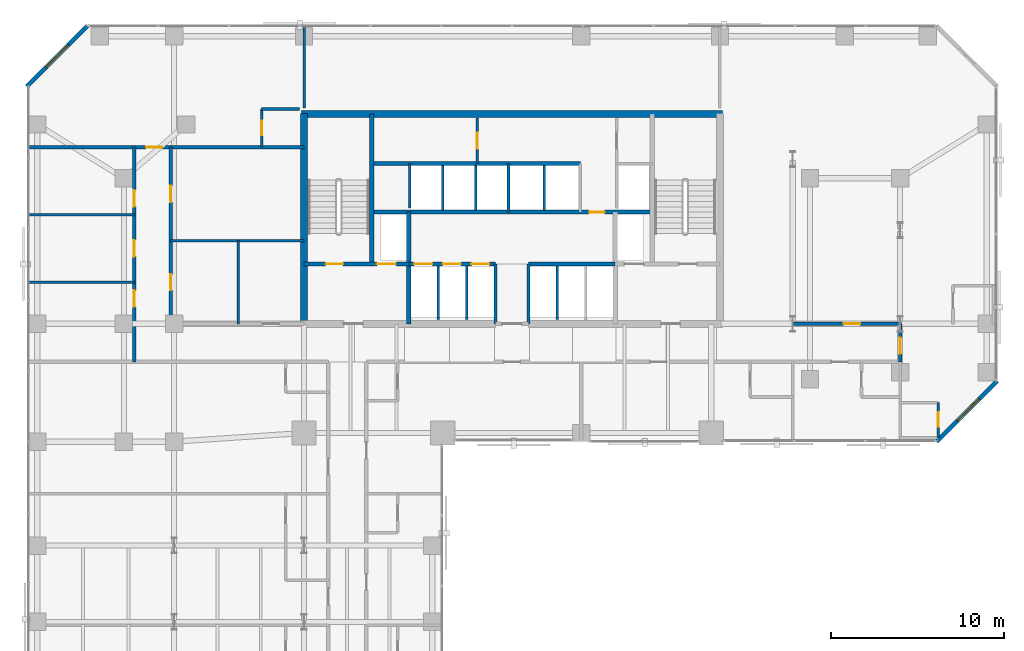
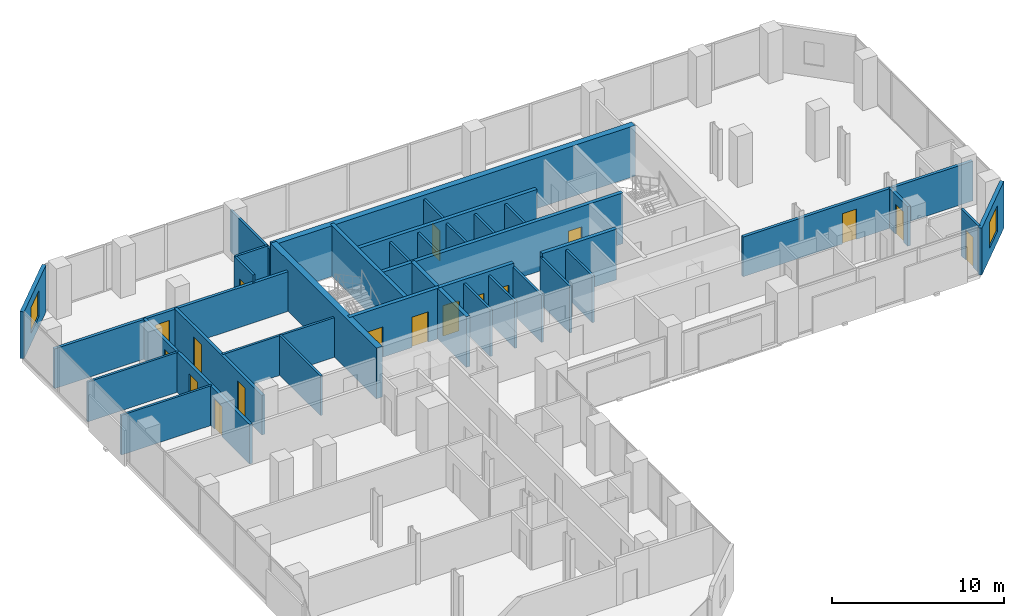
# One storey, part 28 of 31: 35 walls, 17 doors, 2 windows, 19 openings.
"""IFC4 building model written with IfcOpenShell, lengths in metres."""

from ifc_helpers import new_model, si_unit, direction, frame, frame_2d, origin, place, context, subcontext, project, spatial, rectangle, extrude, material, layer, layer_set, type_object, element, fill, save


model = new_model("IFC4")

# Units and contexts
model_context = context("Model", 3, precision=1e-05, world=origin(), true_north=direction((0.0, 1.0)))
body_context = subcontext(model_context, "Body", "Model", "MODEL_VIEW")
ifc_project = project(units=[si_unit("LENGTHUNIT", "METRE"), si_unit("AREAUNIT", "SQUARE_METRE"), si_unit("VOLUMEUNIT", "CUBIC_METRE"), si_unit("PLANEANGLEUNIT", "RADIAN"), si_unit("MASSUNIT", "GRAM", prefix="KILO")], contexts=[model_context])

# Site, building, storey
site_placement = place(None, origin())
site = spatial("IfcSite", under=ifc_project, at=site_placement, CompositionType="ELEMENT")
building_placement = place(site_placement, origin())
building = spatial("IfcBuilding", under=site, at=building_placement, Name="Catumbela Crestline Tower", CompositionType="ELEMENT")
storey_placement = place(building_placement, frame((0.0, 0.0, 40.2)))
storey = spatial("IfcBuildingStorey", under=building, at=storey_placement, Name="L09", CompositionType="ELEMENT", Elevation=40.2)

# Walls
ifc_material_1 = material(Name="Concrete C50/60", Category="concrete")
ifc_layer_1 = layer(ifc_material_1, 0.25, Name="Concrete C50/60")
ifc_layer_set_1 = layer_set([ifc_layer_1], Name="Concrete C50/60")
wall_type_1 = type_object("IfcWallType", Name="CW-250D", PredefinedType="SHEAR", material=ifc_layer_set_1)
wall_1_placement = place(storey_placement, frame((19.9, 34.25, 0.0), z_axis=(0.0, 0.0, 1.0), x_axis=(0.0, 1.0, 0.0)))
element("IfcWall", 1, at=wall_1_placement, inside=storey, type_object=wall_type_1, Name="L09 Structural Core Shear Wall WWEB", PredefinedType="SHEAR", context=body_context, shape_type="SweptSolid", body=[
    extrude(rectangle(XDim=8.65, YDim=0.25, at=frame_2d((4.325, 0.0))), origin(), (0.0, 0.0, 1.0), 3.6),
])
wall_2_placement = place(storey_placement, frame((22.05, 30.8, 0.0), z_axis=(0.0, 0.0, 1.0), x_axis=(0.0, 1.0, 0.0)))
element("IfcWall", 2, at=wall_2_placement, inside=storey, type_object=wall_type_1, Name="L09 Structural Core Shear Wall FFW", PredefinedType="SHEAR", context=body_context, shape_type="SweptSolid", body=[
    extrude(rectangle(XDim=6.45, YDim=0.25, at=frame_2d((3.225, 0.0))), origin(), (0.0, 0.0, 1.0), 3.6),
])

# Wall, openings, doors
wall_3_placement = place(storey_placement, frame((16.0, 34.25, 0.0), z_axis=(0.0, 0.0, 1.0), x_axis=(1.0, 0.0, 0.0)))
wall_3 = element("IfcWall", 3, at=wall_3_placement, inside=storey, type_object=wall_type_1, Name="L09 Structural Core Shear Wall ST1S", PredefinedType="SHEAR", context=body_context, shape_type="SweptSolid", body=[
    extrude(rectangle(XDim=6.05, YDim=0.25, at=frame_2d((3.025, 0.0))), origin(), (0.0, 0.0, 1.0), 3.6),
])
opening_1_placement = place(wall_3_placement, frame((1.25, 0.0, 0.0)))
opening_1 = element("IfcOpeningElement", 4, at=opening_1_placement, cuts=wall_3, Name="Opening DF9-100", PredefinedType="OPENING", context=body_context, shape_type="SweptSolid", body=[
    extrude(rectangle(XDim=1.0, YDim=2.15, at=frame_2d((0.5, 1.075))), frame((0.0, 0.135, 0.0), z_axis=(0.0, -1.0, 0.0), x_axis=(1.0, 0.0, 0.0)), (0.0, 0.0, 1.0), 0.27),
])
opening_2_placement = place(wall_3_placement, frame((4.2, 0.0, 0.0)))
opening_2 = element("IfcOpeningElement", 5, at=opening_2_placement, cuts=wall_3, Name="Opening LD-110", PredefinedType="OPENING", context=body_context, shape_type="SweptSolid", body=[
    extrude(rectangle(XDim=1.1, YDim=2.15, at=frame_2d((0.55, 1.075))), frame((0.0, 0.135, 0.0), z_axis=(0.0, -1.0, 0.0), x_axis=(1.0, 0.0, 0.0)), (0.0, 0.0, 1.0), 0.27),
])
ifc_material_2 = material(Name="Stainless steel EN 1.4401", Category="steel")
door_type_1 = type_object("IfcDoorType", Name="DF9-100", OperationType="NOTDEFINED", PredefinedType="DOOR", material=ifc_material_2)
door_1_placement = place(opening_1_placement, origin())
door_1 = element("IfcDoor", 6, at=door_1_placement, inside=storey, type_object=door_type_1, Name="L09 Interior Door DR-L09-ST01", OperationType="SINGLE_SWING_LEFT", OverallHeight=2.15, OverallWidth=1.0, PredefinedType="DOOR", context=body_context, shape_type="SweptSolid", body=[
    extrude(rectangle(XDim=1.0, YDim=2.15, at=frame_2d((0.5, 1.075))), frame((0.0, 0.025, 0.0), z_axis=(0.0, -1.0, 0.0), x_axis=(1.0, 0.0, 0.0)), (0.0, 0.0, 1.0), 0.05),
])
fill(opening_1, door_1)
door_type_2 = type_object("IfcDoorType", Name="LD-110", OperationType="NOTDEFINED", PredefinedType="DOOR", material=ifc_material_2)
door_2_placement = place(opening_2_placement, origin())
door_2 = element("IfcDoor", 7, at=door_2_placement, inside=storey, type_object=door_type_2, Name="L09 Lift Landing Sliding Door FL-01", OperationType="DOUBLE_DOOR_SLIDING", OverallHeight=2.15, OverallWidth=1.1, PredefinedType="DOOR", context=body_context, shape_type="SweptSolid", body=[
    extrude(rectangle(XDim=1.1, YDim=2.15, at=frame_2d((0.55, 1.075))), frame((0.0, 0.025, 0.0), z_axis=(0.0, -1.0, 0.0), x_axis=(1.0, 0.0, 0.0)), (0.0, 0.0, 1.0), 0.05),
])
fill(opening_2, door_2)

wall_4_placement = place(storey_placement, frame((22.05, 34.25, 0.0), z_axis=(0.0, 0.0, 1.0), x_axis=(1.0, 0.0, 0.0)))
wall_4 = element("IfcWall", 8, at=wall_4_placement, inside=storey, type_object=wall_type_1, Name="L09 Structural Core Shear Wall LIFTS-W", PredefinedType="SHEAR", context=body_context, shape_type="SweptSolid", body=[
    extrude(rectangle(XDim=5.0, YDim=0.25, at=frame_2d((2.5, 0.0))), origin(), (0.0, 0.0, 1.0), 3.6),
])
opening_3_placement = place(wall_4_placement, frame((0.3, 0.0, 0.0)))
opening_3 = element("IfcOpeningElement", 9, at=opening_3_placement, cuts=wall_4, Name="Opening LD-105", PredefinedType="OPENING", context=body_context, shape_type="SweptSolid", body=[
    extrude(rectangle(XDim=1.05, YDim=2.15, at=frame_2d((0.525, 1.075))), frame((0.0, 0.135, 0.0), z_axis=(0.0, -1.0, 0.0), x_axis=(1.0, 0.0, 0.0)), (0.0, 0.0, 1.0), 0.27),
])
opening_4_placement = place(wall_4_placement, frame((1.95, 0.0, 0.0)))
opening_4 = element("IfcOpeningElement", 10, at=opening_4_placement, cuts=wall_4, Name="Opening LD-105", PredefinedType="OPENING", context=body_context, shape_type="SweptSolid", body=[
    extrude(rectangle(XDim=1.05, YDim=2.15, at=frame_2d((0.525, 1.075))), frame((0.0, 0.135, 0.0), z_axis=(0.0, -1.0, 0.0), x_axis=(1.0, 0.0, 0.0)), (0.0, 0.0, 1.0), 0.27),
])
opening_5_placement = place(wall_4_placement, frame((3.6, 0.0, 0.0)))
opening_5 = element("IfcOpeningElement", 11, at=opening_5_placement, cuts=wall_4, Name="Opening LD-105", PredefinedType="OPENING", context=body_context, shape_type="SweptSolid", body=[
    extrude(rectangle(XDim=1.05, YDim=2.15, at=frame_2d((0.525, 1.075))), frame((0.0, 0.135, 0.0), z_axis=(0.0, -1.0, 0.0), x_axis=(1.0, 0.0, 0.0)), (0.0, 0.0, 1.0), 0.27),
])
door_type_3 = type_object("IfcDoorType", Name="LD-105", OperationType="NOTDEFINED", PredefinedType="DOOR", material=ifc_material_2)
door_3_placement = place(opening_3_placement, origin())
door_3 = element("IfcDoor", 12, at=door_3_placement, inside=storey, type_object=door_type_3, Name="L09 Lift Landing Sliding Door PL-L1", OperationType="DOUBLE_DOOR_SLIDING", OverallHeight=2.15, OverallWidth=1.05, PredefinedType="DOOR", context=body_context, shape_type="SweptSolid", body=[
    extrude(rectangle(XDim=1.05, YDim=2.15, at=frame_2d((0.525, 1.075))), frame((0.0, 0.025, 0.0), z_axis=(0.0, -1.0, 0.0), x_axis=(1.0, 0.0, 0.0)), (0.0, 0.0, 1.0), 0.05),
])
fill(opening_3, door_3)
door_4_placement = place(opening_4_placement, origin())
door_4 = element("IfcDoor", 13, at=door_4_placement, inside=storey, type_object=door_type_3, Name="L09 Lift Landing Sliding Door PL-L2", OperationType="DOUBLE_DOOR_SLIDING", OverallHeight=2.15, OverallWidth=1.05, PredefinedType="DOOR", context=body_context, shape_type="SweptSolid", body=[
    extrude(rectangle(XDim=1.05, YDim=2.15, at=frame_2d((0.525, 1.075))), frame((0.0, 0.025, 0.0), z_axis=(0.0, -1.0, 0.0), x_axis=(1.0, 0.0, 0.0)), (0.0, 0.0, 1.0), 0.05),
])
fill(opening_4, door_4)
door_5_placement = place(opening_5_placement, origin())
door_5 = element("IfcDoor", 14, at=door_5_placement, inside=storey, type_object=door_type_3, Name="L09 Lift Landing Sliding Door PL-L3", OperationType="DOUBLE_DOOR_SLIDING", OverallHeight=2.15, OverallWidth=1.05, PredefinedType="DOOR", context=body_context, shape_type="SweptSolid", body=[
    extrude(rectangle(XDim=1.05, YDim=2.15, at=frame_2d((0.525, 1.075))), frame((0.0, 0.025, 0.0), z_axis=(0.0, -1.0, 0.0), x_axis=(1.0, 0.0, 0.0)), (0.0, 0.0, 1.0), 0.05),
])
fill(opening_5, door_5)

# Wall
wall_5_placement = place(storey_placement, frame((28.95, 34.25, 0.0), z_axis=(0.0, 0.0, 1.0), x_axis=(1.0, 0.0, 0.0)))
element("IfcWall", 15, at=wall_5_placement, inside=storey, type_object=wall_type_1, Name="L09 Structural Core Shear Wall LIFTS-E", PredefinedType="SHEAR", context=body_context, shape_type="SweptSolid", body=[
    extrude(rectangle(XDim=5.0, YDim=0.25, at=frame_2d((2.5, 0.0))), origin(), (0.0, 0.0, 1.0), 3.6),
])

# Wall, opening, door
wall_6_placement = place(storey_placement, frame((19.9, 37.25, 0.0), z_axis=(0.0, 0.0, 1.0), x_axis=(1.0, 0.0, 0.0)))
wall_6 = element("IfcWall", 16, at=wall_6_placement, inside=storey, type_object=wall_type_1, Name="L09 Structural Core Shear Wall LIFTN", PredefinedType="SHEAR", context=body_context, shape_type="SweptSolid", body=[
    extrude(rectangle(XDim=16.2, YDim=0.25, at=frame_2d((8.1, 0.0))), origin(), (0.0, 0.0, 1.0), 3.6),
])
opening_6_placement = place(wall_6_placement, frame((12.55, 0.0, 0.0)))
opening_6 = element("IfcOpeningElement", 17, at=opening_6_placement, cuts=wall_6, Name="Opening DF9-090", PredefinedType="OPENING", context=body_context, shape_type="SweptSolid", body=[
    extrude(rectangle(XDim=0.9, YDim=2.15, at=frame_2d((0.45, 1.075))), frame((0.0, 0.135, 0.0), z_axis=(0.0, -1.0, 0.0), x_axis=(1.0, 0.0, 0.0)), (0.0, 0.0, 1.0), 0.27),
])
door_type_4 = type_object("IfcDoorType", Name="DF9-090", OperationType="NOTDEFINED", PredefinedType="DOOR", material=ifc_material_2)
door_6_placement = place(opening_6_placement, origin())
door_6 = element("IfcDoor", 18, at=door_6_placement, inside=storey, type_object=door_type_4, Name="L09 Interior Door DR-L09-CPAS1", OperationType="SINGLE_SWING_LEFT", OverallHeight=2.15, OverallWidth=0.9, PredefinedType="DOOR", context=body_context, shape_type="SweptSolid", body=[
    extrude(rectangle(XDim=0.9, YDim=2.15, at=frame_2d((0.45, 1.075))), frame((0.0, 0.025, 0.0), z_axis=(0.0, -1.0, 0.0), x_axis=(1.0, 0.0, 0.0)), (0.0, 0.0, 1.0), 0.05),
])
fill(opening_6, door_6)

# Walls
wall_7_placement = place(storey_placement, frame((19.9, 40.05, 0.0), z_axis=(0.0, 0.0, 1.0), x_axis=(1.0, 0.0, 0.0)))
element("IfcWall", 19, at=wall_7_placement, inside=storey, type_object=wall_type_1, Name="L09 Structural Core Shear Wall COREN", PredefinedType="SHEAR", context=body_context, shape_type="SweptSolid", body=[
    extrude(rectangle(XDim=12.05, YDim=0.25, at=frame_2d((6.025, 0.0))), origin(), (0.0, 0.0, 1.0), 3.6),
])
ifc_material_3 = material(Name="Concrete C60/75", Category="concrete")
ifc_layer_2 = layer(ifc_material_3, 0.4, Name="Concrete C60/75")
ifc_layer_set_2 = layer_set([ifc_layer_2], Name="Concrete C60/75")
wall_type_2 = type_object("IfcWallType", Name="CW-400A", PredefinedType="SHEAR", material=ifc_layer_set_2)
wall_8_placement = place(storey_placement, frame((16.0, 30.65, 0.0), z_axis=(0.0, 0.0, 1.0), x_axis=(0.0, 1.0, 0.0)))
element("IfcWall", 20, at=wall_8_placement, inside=storey, type_object=wall_type_2, Name="L09 Structural Core Shear Wall W", PredefinedType="SHEAR", context=body_context, shape_type="SweptSolid", body=[
    extrude(rectangle(XDim=12.3, YDim=0.4, at=frame_2d((6.15, 0.0))), origin(), (0.0, 0.0, 1.0), 3.6),
])
wall_9_placement = place(storey_placement, frame((15.85, 42.9, 0.0), z_axis=(0.0, 0.0, 1.0), x_axis=(1.0, 0.0, 0.0)))
element("IfcWall", 21, at=wall_9_placement, inside=storey, type_object=wall_type_2, Name="L09 Structural Core Shear Wall N", PredefinedType="SHEAR", context=body_context, shape_type="SweptSolid", body=[
    extrude(rectangle(XDim=24.3, YDim=0.4, at=frame_2d((12.15, 0.0))), origin(), (0.0, 0.0, 1.0), 3.6),
])

# Wall, openings, doors
ifc_material_4 = material(Name="Acoustic gypsum and mineral-wool partition")
ifc_layer_3 = layer(ifc_material_4, 0.2, Name="Acoustic gypsum and mineral-wool partition")
ifc_layer_set_3 = layer_set([ifc_layer_3], Name="Acoustic gypsum and mineral-wool partition")
wall_type_3 = type_object("IfcWallType", Name="WC-200", PredefinedType="PARTITIONING", material=ifc_layer_set_3)
wall_10_placement = place(storey_placement, frame((8.3, 30.8, 0.0), z_axis=(0.0, 0.0, 1.0), x_axis=(0.0, 1.0, 0.0)))
wall_10 = element("IfcWall", 22, at=wall_10_placement, inside=storey, type_object=wall_type_3, Name="L09 Interior Partition PW-L09-AWC-W", PredefinedType="PARTITIONING", context=body_context, shape_type="SweptSolid", body=[
    extrude(rectangle(XDim=10.2, YDim=0.2, at=frame_2d((5.1, 0.0))), origin(), (0.0, 0.0, 1.0), 2.82),
])
opening_7_placement = place(wall_10_placement, frame((1.95, 0.0, 0.0)))
opening_7 = element("IfcOpeningElement", 23, at=opening_7_placement, cuts=wall_10, Name="Opening DI-090", PredefinedType="OPENING", context=body_context, shape_type="SweptSolid", body=[
    extrude(rectangle(XDim=0.9, YDim=2.15, at=frame_2d((0.45, 1.075))), frame((0.0, 0.11, 0.0), z_axis=(0.0, -1.0, 0.0), x_axis=(1.0, 0.0, 0.0)), (0.0, 0.0, 1.0), 0.22),
])
opening_8_placement = place(wall_10_placement, frame((7.025, 0.0, 0.0)))
opening_8 = element("IfcOpeningElement", 24, at=opening_8_placement, cuts=wall_10, Name="Opening DF6-095", PredefinedType="OPENING", context=body_context, shape_type="SweptSolid", body=[
    extrude(rectangle(XDim=0.95, YDim=2.15, at=frame_2d((0.475, 1.075))), frame((0.0, 0.11, 0.0), z_axis=(0.0, -1.0, 0.0), x_axis=(1.0, 0.0, 0.0)), (0.0, 0.0, 1.0), 0.22),
])
ifc_material_5 = material(Name="Aluminium alloy AW-6060-T66", Category="aluminium")
door_type_5 = type_object("IfcDoorType", Name="DF6-095", OperationType="NOTDEFINED", PredefinedType="DOOR", material=ifc_material_5)
door_7_placement = place(opening_8_placement, origin())
door_7 = element("IfcDoor", 25, at=door_7_placement, inside=storey, type_object=door_type_5, Name="L09 Interior Door DR-L09-MT1-ENT", OperationType="SINGLE_SWING_LEFT", OverallHeight=2.15, OverallWidth=0.95, PredefinedType="DOOR", context=body_context, shape_type="SweptSolid", body=[
    extrude(rectangle(XDim=0.95, YDim=2.15, at=frame_2d((0.475, 1.075))), frame((0.0, 0.025, 0.0), z_axis=(0.0, -1.0, 0.0), x_axis=(1.0, 0.0, 0.0)), (0.0, 0.0, 1.0), 0.05),
])
fill(opening_8, door_7)
door_type_6 = type_object("IfcDoorType", Name="DI-090", OperationType="NOTDEFINED", PredefinedType="DOOR", material=ifc_material_5)
door_8_placement = place(opening_7_placement, origin())
door_8 = element("IfcDoor", 26, at=door_8_placement, inside=storey, type_object=door_type_6, Name="L09 Interior Door DR-L09-STWC", OperationType="SINGLE_SWING_RIGHT", OverallHeight=2.15, OverallWidth=0.9, PredefinedType="DOOR", context=body_context, shape_type="SweptSolid", body=[
    extrude(rectangle(XDim=0.9, YDim=2.15, at=frame_2d((0.45, 1.075))), frame((0.0, 0.025, 0.0), z_axis=(0.0, -1.0, 0.0), x_axis=(1.0, 0.0, 0.0)), (0.0, 0.0, 1.0), 0.05),
])
fill(opening_7, door_8)

# Wall, opening, door
wall_11_placement = place(storey_placement, frame((0.1, 41.0, 0.0), z_axis=(0.0, 0.0, 1.0), x_axis=(1.0, 0.0, 0.0)))
wall_11 = element("IfcWall", 27, at=wall_11_placement, inside=storey, type_object=wall_type_3, Name="L09 Interior Partition PW-L09-NWTOP-ENT", PredefinedType="PARTITIONING", context=body_context, shape_type="SweptSolid", body=[
    extrude(rectangle(XDim=15.9, YDim=0.2, at=frame_2d((7.95, 0.0))), origin(), (0.0, 0.0, 1.0), 2.82),
])
opening_9_placement = place(wall_11_placement, frame((6.7788, 0.0, 0.0)))
opening_9 = element("IfcOpeningElement", 28, at=opening_9_placement, cuts=wall_11, Name="Opening DF6-095", PredefinedType="OPENING", context=body_context, shape_type="SweptSolid", body=[
    extrude(rectangle(XDim=0.95, YDim=2.15, at=frame_2d((0.475, 1.075))), frame((0.0, 0.11, 0.0), z_axis=(0.0, -1.0, 0.0), x_axis=(1.0, 0.0, 0.0)), (0.0, 0.0, 1.0), 0.22),
])
door_9_placement = place(opening_9_placement, origin())
door_9 = element("IfcDoor", 29, at=door_9_placement, inside=storey, type_object=door_type_5, Name="L09 Interior Door DR-L09-NWTOP-ENT", OperationType="SINGLE_SWING_LEFT", OverallHeight=2.15, OverallWidth=0.95, PredefinedType="DOOR", context=body_context, shape_type="SweptSolid", body=[
    extrude(rectangle(XDim=0.95, YDim=2.15, at=frame_2d((0.475, 1.075))), frame((0.0, 0.025, 0.0), z_axis=(0.0, -1.0, 0.0), x_axis=(1.0, 0.0, 0.0)), (0.0, 0.0, 1.0), 0.05),
])
fill(opening_9, door_9)

# Wall, openings, doors
wall_12_placement = place(storey_placement, frame((6.2, 28.6, 0.0), z_axis=(0.0, 0.0, 1.0), x_axis=(0.0, 1.0, 0.0)))
wall_12 = element("IfcWall", 30, at=wall_12_placement, inside=storey, type_object=wall_type_3, Name="L09 Interior Partition PW-L09-OF1-ENT", PredefinedType="PARTITIONING", context=body_context, shape_type="SweptSolid", body=[
    extrude(rectangle(XDim=12.4, YDim=0.2, at=frame_2d((6.2, 0.0))), origin(), (0.0, 0.0, 1.0), 2.82),
])
opening_10_placement = place(wall_12_placement, frame((3.1818, 0.0, 0.0)))
opening_10 = element("IfcOpeningElement", 31, at=opening_10_placement, cuts=wall_12, Name="Opening DF6-095", PredefinedType="OPENING", context=body_context, shape_type="SweptSolid", body=[
    extrude(rectangle(XDim=0.95, YDim=2.15, at=frame_2d((0.475, 1.075))), frame((0.0, 0.11, 0.0), z_axis=(0.0, -1.0, 0.0), x_axis=(1.0, 0.0, 0.0)), (0.0, 0.0, 1.0), 0.22),
])
opening_11_placement = place(wall_12_placement, frame((6.075, 0.0, 0.0)))
opening_11 = element("IfcOpeningElement", 32, at=opening_11_placement, cuts=wall_12, Name="Opening DF6-095", PredefinedType="OPENING", context=body_context, shape_type="SweptSolid", body=[
    extrude(rectangle(XDim=0.95, YDim=2.15, at=frame_2d((0.475, 1.075))), frame((0.0, 0.11, 0.0), z_axis=(0.0, -1.0, 0.0), x_axis=(1.0, 0.0, 0.0)), (0.0, 0.0, 1.0), 0.22),
])
opening_12_placement = place(wall_12_placement, frame((8.966, 0.0, 0.0)))
opening_12 = element("IfcOpeningElement", 33, at=opening_12_placement, cuts=wall_12, Name="Opening DF6-095", PredefinedType="OPENING", context=body_context, shape_type="SweptSolid", body=[
    extrude(rectangle(XDim=0.95, YDim=2.15, at=frame_2d((0.475, 1.075))), frame((0.0, 0.11, 0.0), z_axis=(0.0, -1.0, 0.0), x_axis=(1.0, 0.0, 0.0)), (0.0, 0.0, 1.0), 0.22),
])
door_10_placement = place(opening_10_placement, origin())
door_10 = element("IfcDoor", 34, at=door_10_placement, inside=storey, type_object=door_type_5, Name="L09 Interior Door DR-L09-OF1-ENT", OperationType="SINGLE_SWING_RIGHT", OverallHeight=2.15, OverallWidth=0.95, PredefinedType="DOOR", context=body_context, shape_type="SweptSolid", body=[
    extrude(rectangle(XDim=0.95, YDim=2.15, at=frame_2d((0.475, 1.075))), frame((0.0, 0.025, 0.0), z_axis=(0.0, -1.0, 0.0), x_axis=(1.0, 0.0, 0.0)), (0.0, 0.0, 1.0), 0.05),
])
fill(opening_10, door_10)
door_11_placement = place(opening_11_placement, origin())
door_11 = element("IfcDoor", 35, at=door_11_placement, inside=storey, type_object=door_type_5, Name="L09 Interior Door DR-L09-OF2-ENT", OperationType="SINGLE_SWING_RIGHT", OverallHeight=2.15, OverallWidth=0.95, PredefinedType="DOOR", context=body_context, shape_type="SweptSolid", body=[
    extrude(rectangle(XDim=0.95, YDim=2.15, at=frame_2d((0.475, 1.075))), frame((0.0, 0.025, 0.0), z_axis=(0.0, -1.0, 0.0), x_axis=(1.0, 0.0, 0.0)), (0.0, 0.0, 1.0), 0.05),
])
fill(opening_11, door_11)
door_12_placement = place(opening_12_placement, origin())
door_12 = element("IfcDoor", 36, at=door_12_placement, inside=storey, type_object=door_type_5, Name="L09 Interior Door DR-L09-OF3-ENT", OperationType="SINGLE_SWING_LEFT", OverallHeight=2.15, OverallWidth=0.95, PredefinedType="DOOR", context=body_context, shape_type="SweptSolid", body=[
    extrude(rectangle(XDim=0.95, YDim=2.15, at=frame_2d((0.475, 1.075))), frame((0.0, 0.025, 0.0), z_axis=(0.0, -1.0, 0.0), x_axis=(1.0, 0.0, 0.0)), (0.0, 0.0, 1.0), 0.05),
])
fill(opening_12, door_12)

# Wall, opening, door
wall_13_placement = place(storey_placement, frame((40.47, 30.8, 0.0), z_axis=(0.0, 0.0, 1.0), x_axis=(1.0, 0.0, 0.0)))
wall_13 = element("IfcWall", 37, at=wall_13_placement, inside=storey, type_object=wall_type_3, Name="L09 Interior Partition PW-L09-NES-ENT", PredefinedType="PARTITIONING", context=body_context, shape_type="SweptSolid", body=[
    extrude(rectangle(XDim=15.43, YDim=0.2, at=frame_2d((7.715, 0.0))), origin(), (0.0, 0.0, 1.0), 2.82),
])
opening_13_placement = place(wall_13_placement, frame((6.6725, 0.0, 0.0)))
opening_13 = element("IfcOpeningElement", 38, at=opening_13_placement, cuts=wall_13, Name="Opening DF6-095", PredefinedType="OPENING", context=body_context, shape_type="SweptSolid", body=[
    extrude(rectangle(XDim=0.95, YDim=2.15, at=frame_2d((0.475, 1.075))), frame((0.0, 0.11, 0.0), z_axis=(0.0, -1.0, 0.0), x_axis=(1.0, 0.0, 0.0)), (0.0, 0.0, 1.0), 0.22),
])
door_13_placement = place(opening_13_placement, origin())
door_13 = element("IfcDoor", 39, at=door_13_placement, inside=storey, type_object=door_type_5, Name="L09 Interior Door DR-L09-NES-ENT", OperationType="SINGLE_SWING_LEFT", OverallHeight=2.15, OverallWidth=0.95, PredefinedType="DOOR", context=body_context, shape_type="SweptSolid", body=[
    extrude(rectangle(XDim=0.95, YDim=2.15, at=frame_2d((0.475, 1.075))), frame((0.0, 0.025, 0.0), z_axis=(0.0, -1.0, 0.0), x_axis=(1.0, 0.0, 0.0)), (0.0, 0.0, 1.0), 0.05),
])
fill(opening_13, door_13)

wall_14_placement = place(storey_placement, frame((50.4, 28.6, 0.0), z_axis=(0.0, 0.0, 1.0), x_axis=(0.0, 1.0, 0.0)))
wall_14 = element("IfcWall", 40, at=wall_14_placement, inside=storey, type_object=wall_type_3, Name="L09 Interior Partition PW-L09-NESE-ENT", PredefinedType="PARTITIONING", context=body_context, shape_type="SweptSolid", body=[
    extrude(rectangle(XDim=2.2, YDim=0.2, at=frame_2d((1.1, 0.0))), origin(), (0.0, 0.0, 1.0), 2.82),
])
opening_14_placement = place(wall_14_placement, frame((0.46, 0.0, 0.0)))
opening_14 = element("IfcOpeningElement", 41, at=opening_14_placement, cuts=wall_14, Name="Opening DF6-095", PredefinedType="OPENING", context=body_context, shape_type="SweptSolid", body=[
    extrude(rectangle(XDim=0.95, YDim=2.15, at=frame_2d((0.475, 1.075))), frame((0.0, 0.11, 0.0), z_axis=(0.0, -1.0, 0.0), x_axis=(1.0, 0.0, 0.0)), (0.0, 0.0, 1.0), 0.22),
])
door_14_placement = place(opening_14_placement, origin())
door_14 = element("IfcDoor", 42, at=door_14_placement, inside=storey, type_object=door_type_5, Name="L09 Interior Door DR-L09-NESE-ENT", OperationType="SINGLE_SWING_RIGHT", OverallHeight=2.15, OverallWidth=0.95, PredefinedType="DOOR", context=body_context, shape_type="SweptSolid", body=[
    extrude(rectangle(XDim=0.95, YDim=2.15, at=frame_2d((0.475, 1.075))), frame((0.0, 0.025, 0.0), z_axis=(0.0, -1.0, 0.0), x_axis=(1.0, 0.0, 0.0)), (0.0, 0.0, 1.0), 0.05),
])
fill(opening_14, door_14)

# Wall, opening, window
ifc_material_6 = material(Name="Angolan grey-ochre granite", Category="masonry")
ifc_layer_4 = layer(ifc_material_6, 0.25, Name="Angolan grey-ochre granite")
ifc_layer_set_4 = layer_set([ifc_layer_4], Name="Angolan grey-ochre granite")
wall_type_4 = type_object("IfcWallType", Name="WE-250", PredefinedType="STANDARD", material=ifc_layer_set_4)
wall_15_placement = place(storey_placement, frame((52.5, 24.0, 0.0), z_axis=(0.0, 0.0, 1.0), x_axis=(0.707106781187, 0.707106781187, 0.0)))
wall_15 = element("IfcWall", 43, at=wall_15_placement, inside=storey, type_object=wall_type_4, Name="L09 Granite Punched Window Wall 4-1", PredefinedType="STANDARD", context=body_context, shape_type="SweptSolid", body=[
    extrude(rectangle(XDim=4.9497, YDim=0.25, at=frame_2d((2.4748, 0.0))), origin(), (0.0, 0.0, 1.0), 3.33),
])
opening_15_placement = place(wall_15_placement, frame((1.6851, 0.0, 0.75)))
opening_15 = element("IfcOpeningElement", 44, at=opening_15_placement, cuts=wall_15, Name="Opening WN-01", PredefinedType="OPENING", context=body_context, shape_type="SweptSolid", body=[
    extrude(rectangle(XDim=1.8, YDim=1.85, at=frame_2d((0.9, 0.925))), frame((0.0, 0.135, 0.0), z_axis=(0.0, -1.0, 0.0), x_axis=(1.0, 0.0, 0.0)), (0.0, 0.0, 1.0), 0.27),
])
ifc_material_7 = material(Name="Low-E laminated solar-control double glazing", Category="glass")
window_type = type_object("IfcWindowType", Name="WF-1800", PartitioningType="SINGLE_PANEL", PredefinedType="WINDOW", material=ifc_material_7)
window_1_placement = place(opening_15_placement, origin())
window_1 = element("IfcWindow", 45, at=window_1_placement, inside=storey, type_object=window_type, Name="L09 Facade Vision Window 69", OverallHeight=1.85, OverallWidth=1.8, PartitioningType="SINGLE_PANEL", PredefinedType="WINDOW", context=body_context, shape_type="SweptSolid", body=[
    extrude(rectangle(XDim=1.8, YDim=1.85, at=frame_2d((0.9, 0.925))), frame((0.0, 0.03, 0.0), z_axis=(0.0, -1.0, 0.0), x_axis=(1.0, 0.0, 0.0)), (0.0, 0.0, 1.0), 0.06),
])
fill(opening_15, window_1)

wall_16_placement = place(storey_placement, frame((3.5, 48.0, 0.0), z_axis=(0.0, 0.0, 1.0), x_axis=(-0.707106781187, -0.707106781187, 0.0)))
wall_16 = element("IfcWall", 46, at=wall_16_placement, inside=storey, type_object=wall_type_4, Name="L09 Granite Punched Window Wall 8-1", PredefinedType="STANDARD", context=body_context, shape_type="SweptSolid", body=[
    extrude(rectangle(XDim=4.9497, YDim=0.25, at=frame_2d((2.4748, 0.0))), origin(), (0.0, 0.0, 1.0), 3.33),
])
opening_16_placement = place(wall_16_placement, frame((1.5749, 0.0, 0.75)))
opening_16 = element("IfcOpeningElement", 47, at=opening_16_placement, cuts=wall_16, Name="Opening WN-01", PredefinedType="OPENING", context=body_context, shape_type="SweptSolid", body=[
    extrude(rectangle(XDim=1.8, YDim=1.85, at=frame_2d((0.9, 0.925))), frame((0.0, 0.135, 0.0), z_axis=(0.0, -1.0, 0.0), x_axis=(1.0, 0.0, 0.0)), (0.0, 0.0, 1.0), 0.27),
])
window_2_placement = place(opening_16_placement, origin())
window_2 = element("IfcWindow", 48, at=window_2_placement, inside=storey, type_object=window_type, Name="L09 Facade Vision Window 71", OverallHeight=1.85, OverallWidth=1.8, PartitioningType="SINGLE_PANEL", PredefinedType="WINDOW", context=body_context, shape_type="SweptSolid", body=[
    extrude(rectangle(XDim=1.8, YDim=1.85, at=frame_2d((0.9, 0.925))), frame((0.0, 0.03, 0.0), z_axis=(0.0, -1.0, 0.0), x_axis=(1.0, 0.0, 0.0)), (0.0, 0.0, 1.0), 0.06),
])
fill(opening_16, window_2)

# Wall, opening, door
ifc_layer_5 = layer(ifc_material_4, 0.15, Name="Acoustic gypsum and mineral-wool partition")
ifc_layer_set_5 = layer_set([ifc_layer_5], Name="Acoustic gypsum and mineral-wool partition")
wall_type_5 = type_object("IfcWallType", Name="WP-150", PredefinedType="PARTITIONING", material=ifc_layer_set_5)
wall_17_placement = place(storey_placement, frame((26.0, 40.05, 0.0), z_axis=(0.0, 0.0, 1.0), x_axis=(0.0, 1.0, 0.0)))
wall_17 = element("IfcWall", 49, at=wall_17_placement, inside=storey, type_object=wall_type_5, Name="L09 Interior Partition PW-L09-CR-WW", PredefinedType="PARTITIONING", context=body_context, shape_type="SweptSolid", body=[
    extrude(rectangle(XDim=2.63, YDim=0.15, at=frame_2d((1.315, 0.0))), origin(), (0.0, 0.0, 1.0), 3.33),
])
opening_17_placement = place(wall_17_placement, frame((0.865, 0.0, 0.0)))
opening_17 = element("IfcOpeningElement", 50, at=opening_17_placement, cuts=wall_17, Name="Opening DF9-090", PredefinedType="OPENING", context=body_context, shape_type="SweptSolid", body=[
    extrude(rectangle(XDim=0.9, YDim=2.15, at=frame_2d((0.45, 1.075))), frame((0.0, 0.085, 0.0), z_axis=(0.0, -1.0, 0.0), x_axis=(1.0, 0.0, 0.0)), (0.0, 0.0, 1.0), 0.17),
])
door_15_placement = place(opening_17_placement, origin())
door_15 = element("IfcDoor", 51, at=door_15_placement, inside=storey, type_object=door_type_4, Name="L09 Interior Door DR-L09-CRWEST", OperationType="SINGLE_SWING_LEFT", OverallHeight=2.15, OverallWidth=0.9, PredefinedType="DOOR", context=body_context, shape_type="SweptSolid", body=[
    extrude(rectangle(XDim=0.9, YDim=2.15, at=frame_2d((0.45, 1.075))), frame((0.0, 0.025, 0.0), z_axis=(0.0, -1.0, 0.0), x_axis=(1.0, 0.0, 0.0)), (0.0, 0.0, 1.0), 0.05),
])
fill(opening_17, door_15)

# Walls
wall_18_placement = place(storey_placement, frame((8.3, 35.6, 0.0), z_axis=(0.0, 0.0, 1.0), x_axis=(1.0, 0.0, 0.0)))
element("IfcWall", 52, at=wall_18_placement, inside=storey, type_object=wall_type_5, Name="L09 Interior Partition PW-L09-HK-N", PredefinedType="PARTITIONING", context=body_context, shape_type="SweptSolid", body=[
    extrude(rectangle(XDim=7.7, YDim=0.15, at=frame_2d((3.85, 0.0))), origin(), (0.0, 0.0, 1.0), 2.82),
])
wall_19_placement = place(storey_placement, frame((12.2, 30.8, 0.0), z_axis=(0.0, 0.0, 1.0), x_axis=(0.0, 1.0, 0.0)))
element("IfcWall", 53, at=wall_19_placement, inside=storey, type_object=wall_type_5, Name="L09 Interior Partition PW-L09-HK-M", PredefinedType="PARTITIONING", context=body_context, shape_type="SweptSolid", body=[
    extrude(rectangle(XDim=4.8, YDim=0.15, at=frame_2d((2.4, 0.0))), origin(), (0.0, 0.0, 1.0), 2.82),
])
wall_20_placement = place(storey_placement, frame((13.55, 43.2, 0.0), z_axis=(0.0, 0.0, 1.0), x_axis=(1.0, 0.0, 0.0)))
element("IfcWall", 54, at=wall_20_placement, inside=storey, type_object=wall_type_5, Name="L09 Interior Partition PW-L09-NWTOP-BHW", PredefinedType="PARTITIONING", context=body_context, shape_type="SweptSolid", body=[
    extrude(rectangle(XDim=2.1897, YDim=0.15, at=frame_2d((1.0949, 0.0))), origin(), (0.0, 0.0, 1.0), 3.33),
])

# Wall, opening, door
wall_21_placement = place(storey_placement, frame((13.55, 41.0, 0.0), z_axis=(0.0, 0.0, 1.0), x_axis=(0.0, 1.0, 0.0)))
wall_21 = element("IfcWall", 55, at=wall_21_placement, inside=storey, type_object=wall_type_5, Name="L09 Interior Partition PW-L09-NWTOP-BWW", PredefinedType="PARTITIONING", context=body_context, shape_type="SweptSolid", body=[
    extrude(rectangle(XDim=2.2, YDim=0.15, at=frame_2d((1.1, 0.0))), origin(), (0.0, 0.0, 1.0), 3.33),
])
opening_18_placement = place(wall_21_placement, frame((0.675, 0.0, 0.0)))
opening_18 = element("IfcOpeningElement", 56, at=opening_18_placement, cuts=wall_21, Name="Opening DI-085", PredefinedType="OPENING", context=body_context, shape_type="SweptSolid", body=[
    extrude(rectangle(XDim=0.85, YDim=2.15, at=frame_2d((0.425, 1.075))), frame((0.0, 0.085, 0.0), z_axis=(0.0, -1.0, 0.0), x_axis=(1.0, 0.0, 0.0)), (0.0, 0.0, 1.0), 0.17),
])
door_type_7 = type_object("IfcDoorType", Name="DI-085", OperationType="NOTDEFINED", PredefinedType="DOOR", material=ifc_material_5)
door_16_placement = place(opening_18_placement, origin())
door_16 = element("IfcDoor", 57, at=door_16_placement, inside=storey, type_object=door_type_7, Name="L09 Interior Door DR-L09-NWTOP-BTH", OperationType="SINGLE_SWING_RIGHT", OverallHeight=2.15, OverallWidth=0.85, PredefinedType="DOOR", context=body_context, shape_type="SweptSolid", body=[
    extrude(rectangle(XDim=0.85, YDim=2.15, at=frame_2d((0.425, 1.075))), frame((0.0, 0.025, 0.0), z_axis=(0.0, -1.0, 0.0), x_axis=(1.0, 0.0, 0.0)), (0.0, 0.0, 1.0), 0.05),
])
fill(opening_18, door_16)

# Walls
for number, where, z_axis, x_axis, name in (
    (58, (0.1, 33.2, 0.0), (0.0, 0.0, 1.0), (1.0, 0.0, 0.0), "L09 Interior Partition PW-L09-G1-1"),
    (59, (0.1, 37.1, 0.0), (0.0, 0.0, 1.0), (1.0, 0.0, 0.0), "L09 Interior Partition PW-L09-G1-2"),
):
    element("IfcWall", number, at=place(storey_placement, frame(where, z_axis=z_axis, x_axis=x_axis)), inside=storey, type_object=wall_type_5, Name=name, PredefinedType="PARTITIONING", context=body_context, shape_type="SweptSolid", body=[
        extrude(rectangle(XDim=6.1, YDim=0.15, at=frame_2d((3.05, 0.0))), origin(), (0.0, 0.0, 1.0), 2.82),
    ])
wall_22_placement = place(storey_placement, frame((16.0, 43.27, 0.0), z_axis=(0.0, 0.0, 1.0), x_axis=(0.0, 1.0, 0.0)))
element("IfcWall", 60, at=wall_22_placement, inside=storey, type_object=wall_type_5, Name="L09 Interior Partition PW-L09-NCF-W", PredefinedType="PARTITIONING", context=body_context, shape_type="SweptSolid", body=[
    extrude(rectangle(XDim=4.63, YDim=0.15, at=frame_2d((2.315, 0.0))), origin(), (0.0, 0.0, 1.0), 2.93),
])

# Wall, opening, door
wall_23_placement = place(storey_placement, frame((52.6, 24.2, 0.0), z_axis=(0.0, 0.0, 1.0), x_axis=(0.0, 1.0, 0.0)))
wall_23 = element("IfcWall", 61, at=wall_23_placement, inside=storey, type_object=wall_type_5, Name="L09 Interior Partition PW-L09-NESE-BEW", PredefinedType="PARTITIONING", context=body_context, shape_type="SweptSolid", body=[
    extrude(rectangle(XDim=2.05, YDim=0.15, at=frame_2d((1.025, 0.0))), origin(), (0.0, 0.0, 1.0), 3.33),
])
opening_19_placement = place(wall_23_placement, frame((0.6514, 0.0, 0.0)))
opening_19 = element("IfcOpeningElement", 62, at=opening_19_placement, cuts=wall_23, Name="Opening DI-085", PredefinedType="OPENING", context=body_context, shape_type="SweptSolid", body=[
    extrude(rectangle(XDim=0.85, YDim=2.15, at=frame_2d((0.425, 1.075))), frame((0.0, 0.085, 0.0), z_axis=(0.0, -1.0, 0.0), x_axis=(1.0, 0.0, 0.0)), (0.0, 0.0, 1.0), 0.17),
])
door_17_placement = place(opening_19_placement, origin())
door_17 = element("IfcDoor", 63, at=door_17_placement, inside=storey, type_object=door_type_7, Name="L09 Interior Door DR-L09-NESE-BTH", OperationType="SINGLE_SWING_LEFT", OverallHeight=2.15, OverallWidth=0.85, PredefinedType="DOOR", context=body_context, shape_type="SweptSolid", body=[
    extrude(rectangle(XDim=0.85, YDim=2.15, at=frame_2d((0.425, 1.075))), frame((0.0, 0.025, 0.0), z_axis=(0.0, -1.0, 0.0), x_axis=(1.0, 0.0, 0.0)), (0.0, 0.0, 1.0), 0.05),
])
fill(opening_19, door_17)

# Walls
ifc_layer_6 = layer(ifc_material_4, 0.15, Name="Acoustic gypsum and mineral-wool partition")
ifc_layer_set_6 = layer_set([ifc_layer_6], Name="Acoustic gypsum and mineral-wool partition")
wall_type_6 = type_object("IfcWallType", Name="WS-150", PredefinedType="PLUMBINGWALL", material=ifc_layer_set_6)
for number, where, z_axis, x_axis, name in (
    (64, (27.05, 30.8, 0.0), (0.0, 0.0, 1.0), (0.0, 1.0, 0.0), "L09 Interior Partition PW-L09-THRW"),
    (65, (28.95, 30.8, 0.0), (0.0, 0.0, 1.0), (0.0, 1.0, 0.0), "L09 Interior Partition PW-L09-THRE"),
):
    element("IfcWall", number, at=place(storey_placement, frame(where, z_axis=z_axis, x_axis=x_axis)), inside=storey, type_object=wall_type_6, Name=name, PredefinedType="PLUMBINGWALL", context=body_context, shape_type="SweptSolid", body=[
        extrude(rectangle(XDim=3.45, YDim=0.15, at=frame_2d((1.725, 0.0))), origin(), (0.0, 0.0, 1.0), 3.33),
    ])
for number, where, z_axis, x_axis, name in (
    (66, (23.75, 31.05, 0.0), (0.0, 0.0, 1.0), (0.0, 1.0, 0.0), "L09 Interior Partition PW-L09-SHL1"),
    (67, (25.4, 31.05, 0.0), (0.0, 0.0, 1.0), (0.0, 1.0, 0.0), "L09 Interior Partition PW-L09-SHL2"),
    (68, (30.6, 31.05, 0.0), (0.0, 0.0, 1.0), (0.0, 1.0, 0.0), "L09 Interior Partition PW-L09-SHM1"),
):
    element("IfcWall", number, at=place(storey_placement, frame(where, z_axis=z_axis, x_axis=x_axis)), inside=storey, type_object=wall_type_6, Name=name, PredefinedType="PLUMBINGWALL", context=body_context, shape_type="SweptSolid", body=[
        extrude(rectangle(XDim=3.1, YDim=0.15, at=frame_2d((1.55, 0.0))), origin(), (0.0, 0.0, 1.0), 3.33),
    ])
wall_24_placement = place(storey_placement, frame((22.1, 37.4897, 0.0), z_axis=(0.0, 0.0, 1.0), x_axis=(0.0, 1.0, 0.0)))
element("IfcWall", 69, at=wall_24_placement, inside=storey, type_object=wall_type_6, Name="L09 Interior Partition PW-L09-SHH0", PredefinedType="PLUMBINGWALL", context=body_context, shape_type="SweptSolid", body=[
    extrude(rectangle(XDim=2.5603, YDim=0.15, at=frame_2d((1.2801, 0.0))), origin(), (0.0, 0.0, 1.0), 3.33),
])
wall_25_placement = place(storey_placement, frame((27.8, 37.25, 0.0), z_axis=(0.0, 0.0, 1.0), x_axis=(0.0, 1.0, 0.0)))
element("IfcWall", 70, at=wall_25_placement, inside=storey, type_object=wall_type_6, Name="L09 Interior Partition PW-L09-SHH3", PredefinedType="PLUMBINGWALL", context=body_context, shape_type="SweptSolid", body=[
    extrude(rectangle(XDim=2.8, YDim=0.15, at=frame_2d((1.4, 0.0))), origin(), (0.0, 0.0, 1.0), 3.33),
])
for number, where, z_axis, x_axis, name in (
    (71, (24.0, 37.35, 0.0), (0.0, 0.0, 1.0), (0.0, 1.0, 0.0), "L09 Interior Partition PW-L09-SHH1"),
    (72, (25.9, 37.35, 0.0), (0.0, 0.0, 1.0), (0.0, 1.0, 0.0), "L09 Interior Partition PW-L09-SHH2"),
    (73, (29.85, 37.35, 0.0), (0.0, 0.0, 1.0), (0.0, 1.0, 0.0), "L09 Interior Partition PW-L09-SHEX1"),
):
    element("IfcWall", number, at=place(storey_placement, frame(where, z_axis=z_axis, x_axis=x_axis)), inside=storey, type_object=wall_type_6, Name=name, PredefinedType="PLUMBINGWALL", context=body_context, shape_type="SweptSolid", body=[
        extrude(rectangle(XDim=2.6, YDim=0.15, at=frame_2d((1.3, 0.0))), origin(), (0.0, 0.0, 1.0), 3.33),
    ])

save(model, "model.ifc")
